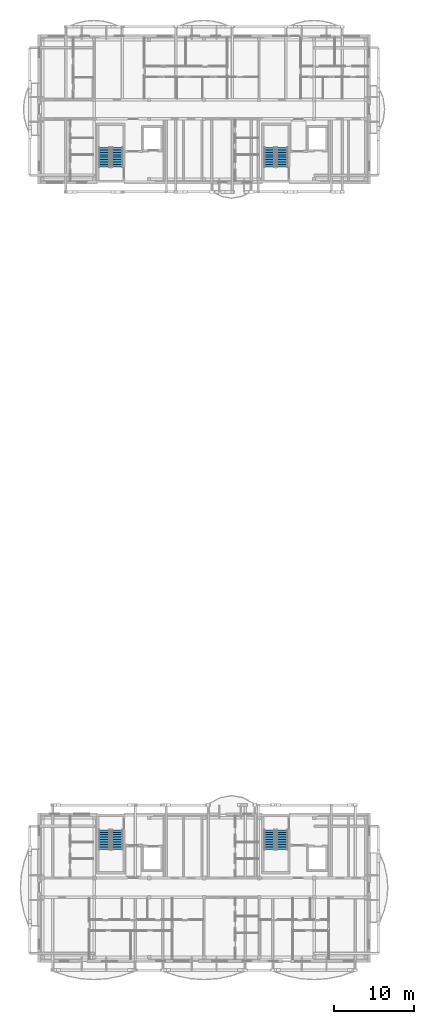
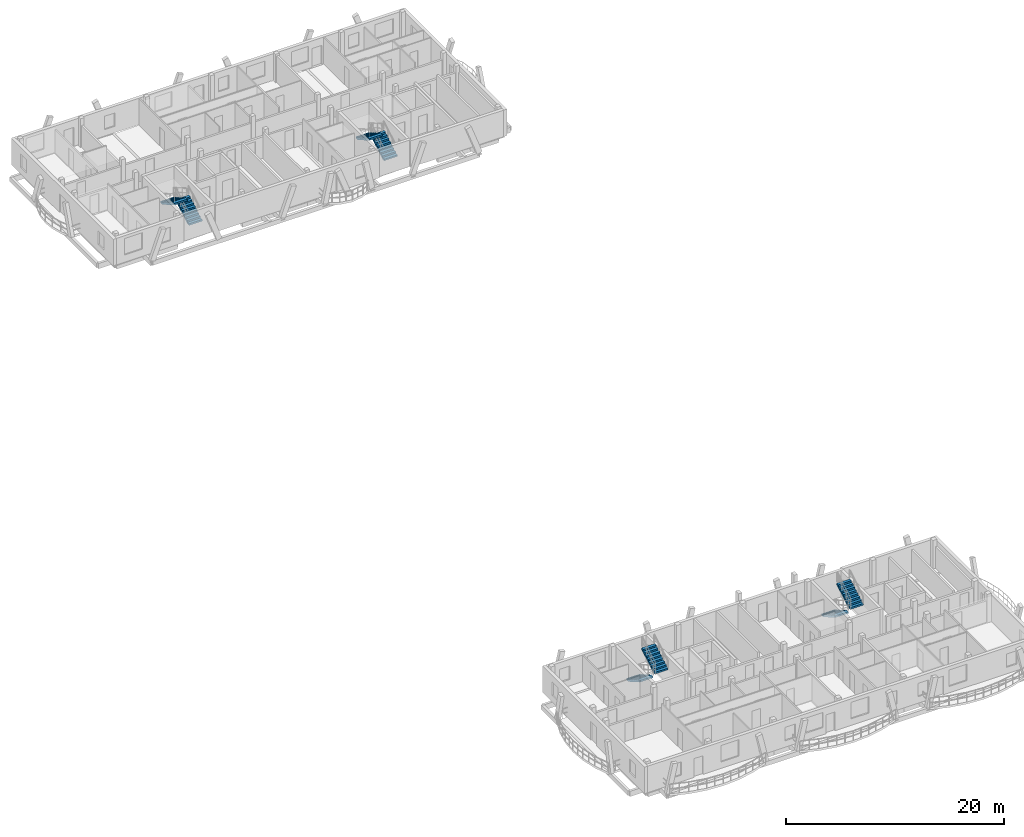
# One storey, part 17 of 21: 8 stair flights, 4 elements without a shape of their own.
"""IFC4 building model written with IfcOpenShell, lengths in metres."""

from ifc_helpers import new_model, si_unit, direction, frame, origin, place, context, subcontext, project, spatial, polyline, outline, extrude, material, type_object, element, aggregate, save


model = new_model("IFC4")

# Units and contexts
model_context = context("Model", 3, precision=1e-05, world=origin(), true_north=direction((0.0, 1.0)))
body_context = subcontext(model_context, "Body", "Model", "MODEL_VIEW")
ifc_project = project(units=[si_unit("LENGTHUNIT", "METRE"), si_unit("AREAUNIT", "SQUARE_METRE"), si_unit("VOLUMEUNIT", "CUBIC_METRE"), si_unit("PLANEANGLEUNIT", "RADIAN"), si_unit("MASSUNIT", "GRAM", prefix="KILO")], contexts=[model_context])

# Site, building, storey
site_placement = place(None, origin())
site = spatial("IfcSite", under=ifc_project, at=site_placement, CompositionType="ELEMENT")
building_placement = place(site_placement, origin())
building = spatial("IfcBuilding", under=site, at=building_placement, Name="Zavelmont Quarter", CompositionType="ELEMENT")
storey_placement = place(building_placement, frame((0.0, 0.0, 36.800048828125)))
storey = spatial("IfcBuildingStorey", under=building, at=storey_placement, Name="L11", CompositionType="ELEMENT", Elevation=36.800048828125)

# Stair, stair flights
ifc_material = material(Name="Concrete C35/45", Category="concrete")
stair_type = type_object("IfcStairType", Name="STR-1400-1778", PredefinedType="HALF_TURN_STAIR", material=ifc_material)
stair_1_placement = place(storey_placement, origin())
stair_1 = element("IfcStair", 1, at=stair_1_placement, inside=storey, type_object=stair_type, Name="L11 protected stair ST01", PredefinedType="HALF_TURN_STAIR")
stair_flight_type = type_object("IfcStairFlightType", Name="STF-1400-1778", PredefinedType="STRAIGHT", material=ifc_material)
stair_flight_1_placement = place(storey_placement, frame((8.199951171875, 16.449951171875, 0.0), z_axis=(0.0, 0.0, 1.0), x_axis=(0.0, -1.0, 0.0)))
stair_flight_1 = element("IfcStairFlight", 2, at=stair_flight_1_placement, type_object=stair_flight_type, Name="ST01 flight 1", NumberOfRisers=9, NumberOfTreads=8, PredefinedType="STRAIGHT", RiserHeight=0.177777778, TreadLength=0.31, context=body_context, shape_type="SweptSolid", body=[
    extrude(outline(polyline([(0.0, 0.0), (0.0, 0.177734375), (0.31005859375, 0.177734375), (0.31005859375, 0.35546875), (0.6201171875, 0.35546875), (0.6201171875, 0.533447265625), (0.929931640625, 0.533447265625), (0.929931640625, 0.711181640625), (1.239990234375, 0.711181640625), (1.239990234375, 0.888916015625), (1.550048828125, 0.888916015625), (1.550048828125, 1.066650390625), (1.860107421875, 1.066650390625), (1.860107421875, 1.244384765625), (2.169921875, 1.244384765625), (2.169921875, 1.422119140625), (2.47998046875, 1.422119140625), (2.47998046875, 1.60009765625), (2.47998046875, 1.23779296875), (0.321533203125, 0.0), (0.0, 0.0)])), frame((0.0, 0.699951171875, 0.0), z_axis=(0.0, -1.0, 0.0), x_axis=(1.0, 0.0, 0.0)), (0.0, 0.0, 1.0), 1.39990234375),
])
stair_flight_2_placement = place(storey_placement, frame((9.800048828125, 13.969970703125, 1.599853515625), z_axis=(0.0, 0.0, 1.0), x_axis=(0.0, 1.0, 0.0)))
stair_flight_2 = element("IfcStairFlight", 3, at=stair_flight_2_placement, type_object=stair_flight_type, Name="ST01 flight 2", NumberOfRisers=9, NumberOfTreads=8, PredefinedType="STRAIGHT", RiserHeight=0.177777778, TreadLength=0.31, context=body_context, shape_type="SweptSolid", body=[
    extrude(outline(polyline([(0.0, 0.0), (0.0, 0.177734375), (0.31005859375, 0.177734375), (0.31005859375, 0.35546875), (0.6201171875, 0.35546875), (0.6201171875, 0.533447265625), (0.929931640625, 0.533447265625), (0.929931640625, 0.711181640625), (1.239990234375, 0.711181640625), (1.239990234375, 0.888916015625), (1.550048828125, 0.888916015625), (1.550048828125, 1.066650390625), (1.860107421875, 1.066650390625), (1.860107421875, 1.244384765625), (2.169921875, 1.244384765625), (2.169921875, 1.422119140625), (2.47998046875, 1.422119140625), (2.47998046875, 1.60009765625), (2.47998046875, 1.23779296875), (0.321533203125, 0.0), (0.0, 0.0)])), frame((0.0, 0.699951171875, 0.0), z_axis=(0.0, -1.0, 0.0), x_axis=(1.0, 0.0, 0.0)), (0.0, 0.0, 1.0), 1.39990234375),
])
aggregate(stair_1, [stair_flight_1, stair_flight_2])

stair_2_placement = place(storey_placement, origin())
stair_2 = element("IfcStair", 4, at=stair_2_placement, inside=storey, type_object=stair_type, Name="L11 protected stair ST02", PredefinedType="HALF_TURN_STAIR")
stair_flight_3_placement = place(storey_placement, frame((28.89990234375, 16.449951171875, 0.0), z_axis=(0.0, 0.0, 1.0), x_axis=(0.0, -1.0, 0.0)))
stair_flight_3 = element("IfcStairFlight", 5, at=stair_flight_3_placement, type_object=stair_flight_type, Name="ST02 flight 1", NumberOfRisers=9, NumberOfTreads=8, PredefinedType="STRAIGHT", RiserHeight=0.177777778, TreadLength=0.31, context=body_context, shape_type="SweptSolid", body=[
    extrude(outline(polyline([(0.0, 0.0), (0.0, 0.177734375), (0.31005859375, 0.177734375), (0.31005859375, 0.35546875), (0.6201171875, 0.35546875), (0.6201171875, 0.533447265625), (0.929931640625, 0.533447265625), (0.929931640625, 0.711181640625), (1.239990234375, 0.711181640625), (1.239990234375, 0.888916015625), (1.550048828125, 0.888916015625), (1.550048828125, 1.066650390625), (1.860107421875, 1.066650390625), (1.860107421875, 1.244384765625), (2.169921875, 1.244384765625), (2.169921875, 1.422119140625), (2.47998046875, 1.422119140625), (2.47998046875, 1.60009765625), (2.47998046875, 1.23779296875), (0.321533203125, 0.0), (0.0, 0.0)])), frame((0.0, 0.699951171875, 0.0), z_axis=(0.0, -1.0, 0.0), x_axis=(1.0, 0.0, 0.0)), (0.0, 0.0, 1.0), 1.39990234375),
])
stair_flight_4_placement = place(storey_placement, frame((30.5, 13.969970703125, 1.599853515625), z_axis=(0.0, 0.0, 1.0), x_axis=(0.0, 1.0, 0.0)))
stair_flight_4 = element("IfcStairFlight", 6, at=stair_flight_4_placement, type_object=stair_flight_type, Name="ST02 flight 2", NumberOfRisers=9, NumberOfTreads=8, PredefinedType="STRAIGHT", RiserHeight=0.177777778, TreadLength=0.31, context=body_context, shape_type="SweptSolid", body=[
    extrude(outline(polyline([(0.0, 0.0), (0.0, 0.177734375), (0.31005859375, 0.177734375), (0.31005859375, 0.35546875), (0.6201171875, 0.35546875), (0.6201171875, 0.533447265625), (0.929931640625, 0.533447265625), (0.929931640625, 0.711181640625), (1.239990234375, 0.711181640625), (1.239990234375, 0.888916015625), (1.550048828125, 0.888916015625), (1.550048828125, 1.066650390625), (1.860107421875, 1.066650390625), (1.860107421875, 1.244384765625), (2.169921875, 1.244384765625), (2.169921875, 1.422119140625), (2.47998046875, 1.422119140625), (2.47998046875, 1.60009765625), (2.47998046875, 1.23779296875), (0.321533203125, 0.0), (0.0, 0.0)])), frame((0.0, 0.699951171875, 0.0), z_axis=(0.0, -1.0, 0.0), x_axis=(1.0, 0.0, 0.0)), (0.0, 0.0, 1.0), 1.39990234375),
])
aggregate(stair_2, [stair_flight_3, stair_flight_4])

stair_3_placement = place(storey_placement, origin())
stair_3 = element("IfcStair", 7, at=stair_3_placement, inside=storey, type_object=stair_type, Name="L11 protected stair ST03", PredefinedType="HALF_TURN_STAIR")
stair_flight_5_placement = place(storey_placement, frame((9.800048828125, 99.550048828125, 0.0), z_axis=(0.0, 0.0, 1.0), x_axis=(0.0, 1.0, 0.0)))
stair_flight_5 = element("IfcStairFlight", 8, at=stair_flight_5_placement, type_object=stair_flight_type, Name="ST03 flight 1", NumberOfRisers=9, NumberOfTreads=8, PredefinedType="STRAIGHT", RiserHeight=0.177777778, TreadLength=0.31, context=body_context, shape_type="SweptSolid", body=[
    extrude(outline(polyline([(0.0, 0.0), (0.0, 0.177734375), (0.31005859375, 0.177734375), (0.31005859375, 0.35546875), (0.6201171875, 0.35546875), (0.6201171875, 0.533447265625), (0.929931640625, 0.533447265625), (0.929931640625, 0.711181640625), (1.239990234375, 0.711181640625), (1.239990234375, 0.888916015625), (1.550048828125, 0.888916015625), (1.550048828125, 1.066650390625), (1.860107421875, 1.066650390625), (1.860107421875, 1.244384765625), (2.169921875, 1.244384765625), (2.169921875, 1.422119140625), (2.47998046875, 1.422119140625), (2.47998046875, 1.60009765625), (2.47998046875, 1.23779296875), (0.321533203125, 0.0), (0.0, 0.0)])), frame((0.0, 0.699951171875, 0.0), z_axis=(0.0, -1.0, 0.0), x_axis=(1.0, 0.0, 0.0)), (0.0, 0.0, 1.0), 1.39990234375),
])
stair_flight_6_placement = place(storey_placement, frame((8.199951171875, 102.030029296875, 1.599853515625), z_axis=(0.0, 0.0, 1.0), x_axis=(0.0, -1.0, 0.0)))
stair_flight_6 = element("IfcStairFlight", 9, at=stair_flight_6_placement, type_object=stair_flight_type, Name="ST03 flight 2", NumberOfRisers=9, NumberOfTreads=8, PredefinedType="STRAIGHT", RiserHeight=0.177777778, TreadLength=0.31, context=body_context, shape_type="SweptSolid", body=[
    extrude(outline(polyline([(0.0, 0.0), (0.0, 0.177734375), (0.31005859375, 0.177734375), (0.31005859375, 0.35546875), (0.6201171875, 0.35546875), (0.6201171875, 0.533447265625), (0.929931640625, 0.533447265625), (0.929931640625, 0.711181640625), (1.239990234375, 0.711181640625), (1.239990234375, 0.888916015625), (1.550048828125, 0.888916015625), (1.550048828125, 1.066650390625), (1.860107421875, 1.066650390625), (1.860107421875, 1.244384765625), (2.169921875, 1.244384765625), (2.169921875, 1.422119140625), (2.47998046875, 1.422119140625), (2.47998046875, 1.60009765625), (2.47998046875, 1.23779296875), (0.321533203125, 0.0), (0.0, 0.0)])), frame((0.0, 0.699951171875, 0.0), z_axis=(0.0, -1.0, 0.0), x_axis=(1.0, 0.0, 0.0)), (0.0, 0.0, 1.0), 1.39990234375),
])
aggregate(stair_3, [stair_flight_5, stair_flight_6])

stair_4_placement = place(storey_placement, origin())
stair_4 = element("IfcStair", 10, at=stair_4_placement, inside=storey, type_object=stair_type, Name="L11 protected stair ST04", PredefinedType="HALF_TURN_STAIR")
stair_flight_7_placement = place(storey_placement, frame((30.5, 99.550048828125, 0.0), z_axis=(0.0, 0.0, 1.0), x_axis=(0.0, 1.0, 0.0)))
stair_flight_7 = element("IfcStairFlight", 11, at=stair_flight_7_placement, type_object=stair_flight_type, Name="ST04 flight 1", NumberOfRisers=9, NumberOfTreads=8, PredefinedType="STRAIGHT", RiserHeight=0.177777778, TreadLength=0.31, context=body_context, shape_type="SweptSolid", body=[
    extrude(outline(polyline([(0.0, 0.0), (0.0, 0.177734375), (0.31005859375, 0.177734375), (0.31005859375, 0.35546875), (0.6201171875, 0.35546875), (0.6201171875, 0.533447265625), (0.929931640625, 0.533447265625), (0.929931640625, 0.711181640625), (1.239990234375, 0.711181640625), (1.239990234375, 0.888916015625), (1.550048828125, 0.888916015625), (1.550048828125, 1.066650390625), (1.860107421875, 1.066650390625), (1.860107421875, 1.244384765625), (2.169921875, 1.244384765625), (2.169921875, 1.422119140625), (2.47998046875, 1.422119140625), (2.47998046875, 1.60009765625), (2.47998046875, 1.23779296875), (0.321533203125, 0.0), (0.0, 0.0)])), frame((0.0, 0.699951171875, 0.0), z_axis=(0.0, -1.0, 0.0), x_axis=(1.0, 0.0, 0.0)), (0.0, 0.0, 1.0), 1.39990234375),
])
stair_flight_8_placement = place(storey_placement, frame((28.89990234375, 102.030029296875, 1.599853515625), z_axis=(0.0, 0.0, 1.0), x_axis=(0.0, -1.0, 0.0)))
stair_flight_8 = element("IfcStairFlight", 12, at=stair_flight_8_placement, type_object=stair_flight_type, Name="ST04 flight 2", NumberOfRisers=9, NumberOfTreads=8, PredefinedType="STRAIGHT", RiserHeight=0.177777778, TreadLength=0.31, context=body_context, shape_type="SweptSolid", body=[
    extrude(outline(polyline([(0.0, 0.0), (0.0, 0.177734375), (0.31005859375, 0.177734375), (0.31005859375, 0.35546875), (0.6201171875, 0.35546875), (0.6201171875, 0.533447265625), (0.929931640625, 0.533447265625), (0.929931640625, 0.711181640625), (1.239990234375, 0.711181640625), (1.239990234375, 0.888916015625), (1.550048828125, 0.888916015625), (1.550048828125, 1.066650390625), (1.860107421875, 1.066650390625), (1.860107421875, 1.244384765625), (2.169921875, 1.244384765625), (2.169921875, 1.422119140625), (2.47998046875, 1.422119140625), (2.47998046875, 1.60009765625), (2.47998046875, 1.23779296875), (0.321533203125, 0.0), (0.0, 0.0)])), frame((0.0, 0.699951171875, 0.0), z_axis=(0.0, -1.0, 0.0), x_axis=(1.0, 0.0, 0.0)), (0.0, 0.0, 1.0), 1.39990234375),
])
aggregate(stair_4, [stair_flight_7, stair_flight_8])

save(model, "model.ifc")
